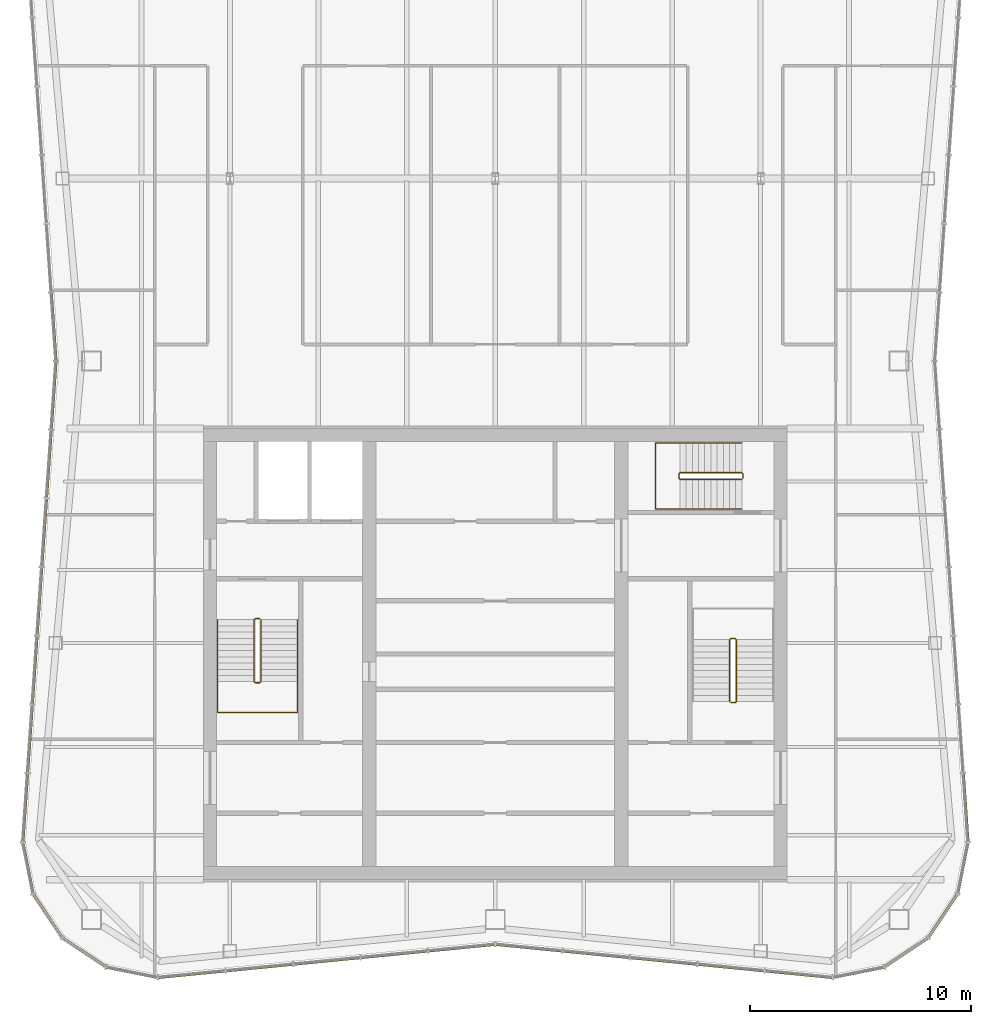
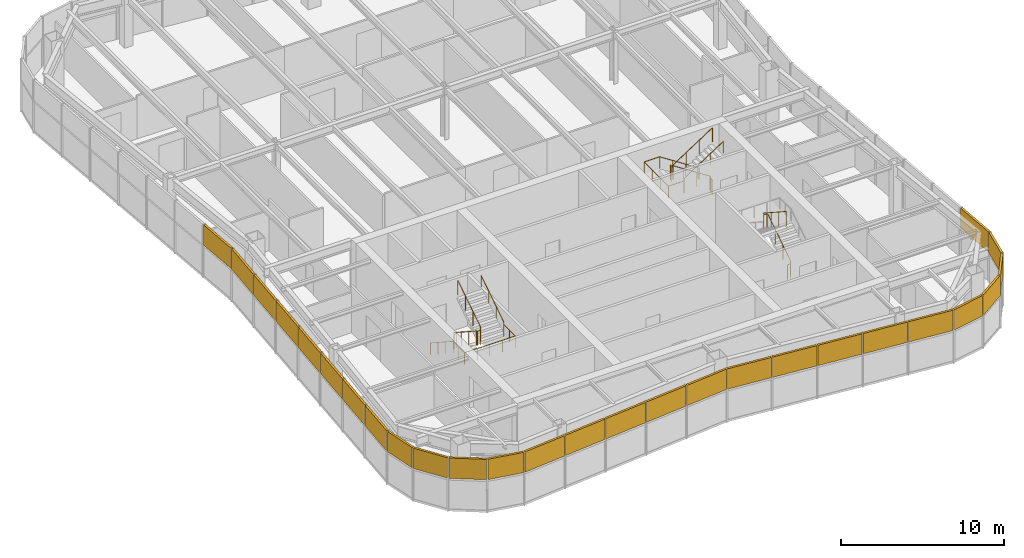
# One storey, part 12 of 13: 27 shading devices, 5 railings, 5 elements without a shape of their own.
"""IFC4 building model written with IfcOpenShell, lengths in metres."""

from ifc_helpers import new_model, si_unit, direction, frame, origin, origin_2d, place, context, subcontext, project, spatial, rectangle, circle, extrude, material, layer, layer_set, type_object, element, aggregate, save


model = new_model("IFC4")

# Units and contexts
model_context = context("Model", 3, precision=1e-05, world=origin(), true_north=direction((0.0, 1.0)))
body_context = subcontext(model_context, "Body", "Model", "MODEL_VIEW")
ifc_project = project(units=[si_unit("LENGTHUNIT", "METRE"), si_unit("AREAUNIT", "SQUARE_METRE"), si_unit("VOLUMEUNIT", "CUBIC_METRE"), si_unit("PLANEANGLEUNIT", "RADIAN"), si_unit("MASSUNIT", "GRAM", prefix="KILO")], contexts=[model_context])

# Site, building, storey
site_placement = place(None, origin())
site = spatial("IfcSite", under=ifc_project, at=site_placement, CompositionType="ELEMENT")
building_placement = place(site_placement, origin())
building = spatial("IfcBuilding", under=site, at=building_placement, Name="Verdant Reach Tower", CompositionType="ELEMENT")
storey_placement = place(building_placement, frame((0.0, 0.0, 364.0)))
storey = spatial("IfcBuildingStorey", under=building, at=storey_placement, Name="L82 Plant", CompositionType="ELEMENT", Elevation=364.0)

# Railings
ifc_material_1 = material(Name="Stainless steel", Category="steel")
railing_type_1 = type_object("IfcRailingType", Name="CO-GUARD", PredefinedType="GUARDRAIL", material=ifc_material_1)
railing_1_placement = place(storey_placement, frame((-10.64990234375, 29.60009765625, 0.0)))
element("IfcRailing", 1, at=railing_1_placement, inside=storey, type_object=railing_type_1, Name="L82 Plant ST-1 stair guard 1", PredefinedType="GUARDRAIL", context=body_context, shape_type="SweptSolid", body=[
    extrude(circle(Radius=0.02392578125, at=origin_2d()), frame((0.0, 0.0, 1.076171875), z_axis=(-1.0, 0.0, 0.0), x_axis=(0.0, -1.0, 0.0)), (0.0, 0.0, 1.0), 0.2001953125),
    extrude(circle(Radius=0.02392578125, at=origin_2d()), frame((-0.2001953125, 0.0, 1.076171875), z_axis=(-0.25526617399, -0.256517478764, 0.932222056972), x_axis=(0.708833529934, -0.705375805398, 0.0)), (0.0, 0.0, 1.0), 0.195068359375),
    extrude(circle(Radius=0.02392578125, at=origin_2d()), frame((-0.25, -0.050048828125, 1.2578125), z_axis=(0.0, -0.838705829183, 0.544584733623), x_axis=(1.0, 0.0, 0.0)), (0.0, 0.0, 1.0), 3.338623046875),
    extrude(circle(Radius=0.02392578125, at=origin_2d()), frame((-0.25, -2.85009765625, 3.076171875), z_axis=(0.705375805398, -0.708833529934, 0.0), x_axis=(0.708833529934, 0.705375805398, 0.0)), (0.0, 0.0, 1.0), 0.070556640625),
    extrude(circle(Radius=0.02392578125, at=origin_2d()), frame((-0.2001953125, -2.900146484375, 3.076171875), z_axis=(1.0, 0.0, 0.0), x_axis=(0.0, 1.0, 0.0)), (0.0, 0.0, 1.0), 0.2001953125),
    extrude(circle(Radius=0.02392578125, at=origin_2d()), frame((0.0, -2.900146484375, 3.076171875), z_axis=(0.25526617399, 0.256517478764, 0.932222056972), x_axis=(-0.708833529934, 0.705375805398, 0.0)), (0.0, 0.0, 1.0), 0.195068359375),
    extrude(circle(Radius=0.02392578125, at=origin_2d()), frame((0.0498046875, -2.85009765625, 3.2578125), z_axis=(0.0, 0.838705829183, 0.544584733623), x_axis=(-1.0, 0.0, 0.0)), (0.0, 0.0, 1.0), 3.338623046875),
    extrude(circle(Radius=0.02099609375, at=origin_2d()), origin(), (0.0, 0.0, 1.0), 1.052001953125),
    extrude(circle(Radius=0.02099609375, at=origin_2d()), frame((-0.2001953125, 0.0, 0.0)), (0.0, 0.0, 1.0), 1.052001953125),
    extrude(circle(Radius=0.02099609375, at=origin_2d()), frame((-0.25, -0.050048828125, 0.181884765625)), (0.0, 0.0, 1.0), 1.052001953125),
    extrude(circle(Radius=0.02099609375, at=origin_2d()), frame((-0.25, -0.9833984375, 0.787841796875)), (0.0, 0.0, 1.0), 1.052001953125),
    extrude(circle(Radius=0.02099609375, at=origin_2d()), frame((-0.25, -1.916748046875, 1.39404296875)), (0.0, 0.0, 1.0), 1.052001953125),
    extrude(circle(Radius=0.02099609375, at=origin_2d()), frame((-0.25, -2.85009765625, 2.0)), (0.0, 0.0, 1.0), 1.052001953125),
    extrude(circle(Radius=0.02099609375, at=origin_2d()), frame((-0.2001953125, -2.900146484375, 2.0)), (0.0, 0.0, 1.0), 1.052001953125),
    extrude(circle(Radius=0.02099609375, at=origin_2d()), frame((0.0, -2.900146484375, 2.0)), (0.0, 0.0, 1.0), 1.052001953125),
    extrude(circle(Radius=0.02099609375, at=origin_2d()), frame((0.0498046875, -2.85009765625, 2.181884765625)), (0.0, 0.0, 1.0), 1.052001953125),
    extrude(circle(Radius=0.02099609375, at=origin_2d()), frame((0.0498046875, -1.916748046875, 2.787841796875)), (0.0, 0.0, 1.0), 1.052001953125),
    extrude(circle(Radius=0.02099609375, at=origin_2d()), frame((0.0498046875, -0.9833984375, 3.39404296875)), (0.0, 0.0, 1.0), 1.052001953125),
    extrude(circle(Radius=0.02099609375, at=origin_2d()), frame((0.0498046875, -0.050048828125, 4.0)), (0.0, 0.0, 1.0), 1.052001953125),
])
railing_2_placement = place(storey_placement, frame((10.64990234375, 25.800048828125, 0.0)))
element("IfcRailing", 2, at=railing_2_placement, inside=storey, type_object=railing_type_1, Name="L82 Plant ST-2 stair guard 1", PredefinedType="GUARDRAIL", context=body_context, shape_type="SweptSolid", body=[
    extrude(circle(Radius=0.02392578125, at=origin_2d()), frame((0.0, 0.0, 1.076171875), z_axis=(1.0, 0.0, 0.0), x_axis=(0.0, 1.0, 0.0)), (0.0, 0.0, 1.0), 0.2001953125),
    extrude(circle(Radius=0.02392578125, at=origin_2d()), frame((0.2001953125, 0.0, 1.076171875), z_axis=(0.25526617399, 0.256517478764, 0.932222056972), x_axis=(-0.708833529934, 0.705375805398, 0.0)), (0.0, 0.0, 1.0), 0.195068359375),
    extrude(circle(Radius=0.02392578125, at=origin_2d()), frame((0.25, 0.050048828125, 1.2578125), z_axis=(0.0, 0.83868413941, 0.544618136222), x_axis=(-1.0, 0.0, 0.0)), (0.0, 0.0, 1.0), 3.33837890625),
    extrude(circle(Radius=0.02392578125, at=origin_2d()), frame((0.25, 2.849853515625, 3.076171875), z_axis=(-0.705375805398, 0.708833529934, 0.0), x_axis=(-0.708833529934, -0.705375805398, 0.0)), (0.0, 0.0, 1.0), 0.070556640625),
    extrude(circle(Radius=0.02392578125, at=origin_2d()), frame((0.2001953125, 2.89990234375, 3.076171875), z_axis=(-1.0, 0.0, 0.0), x_axis=(0.0, -1.0, 0.0)), (0.0, 0.0, 1.0), 0.2001953125),
    extrude(circle(Radius=0.02392578125, at=origin_2d()), frame((0.0, 2.89990234375, 3.076171875), z_axis=(-0.25526617399, -0.256517478764, 0.932222056972), x_axis=(0.708833529934, -0.705375805398, 0.0)), (0.0, 0.0, 1.0), 0.195068359375),
    extrude(circle(Radius=0.02392578125, at=origin_2d()), frame((-0.0498046875, 2.849853515625, 3.2578125), z_axis=(0.0, -0.83868413941, 0.544618136222), x_axis=(1.0, 0.0, 0.0)), (0.0, 0.0, 1.0), 3.33837890625),
    extrude(circle(Radius=0.02099609375, at=origin_2d()), origin(), (0.0, 0.0, 1.0), 1.052001953125),
    extrude(circle(Radius=0.02099609375, at=origin_2d()), frame((0.2001953125, 0.0, 0.0)), (0.0, 0.0, 1.0), 1.052001953125),
    extrude(circle(Radius=0.02099609375, at=origin_2d()), frame((0.25, 0.050048828125, 0.181884765625)), (0.0, 0.0, 1.0), 1.052001953125),
    extrude(circle(Radius=0.02099609375, at=origin_2d()), frame((0.25, 0.9833984375, 0.787841796875)), (0.0, 0.0, 1.0), 1.052001953125),
    extrude(circle(Radius=0.02099609375, at=origin_2d()), frame((0.25, 1.91650390625, 1.39404296875)), (0.0, 0.0, 1.0), 1.052001953125),
    extrude(circle(Radius=0.02099609375, at=origin_2d()), frame((0.25, 2.849853515625, 2.0)), (0.0, 0.0, 1.0), 1.052001953125),
    extrude(circle(Radius=0.02099609375, at=origin_2d()), frame((0.2001953125, 2.89990234375, 2.0)), (0.0, 0.0, 1.0), 1.052001953125),
    extrude(circle(Radius=0.02099609375, at=origin_2d()), frame((0.0, 2.89990234375, 2.0)), (0.0, 0.0, 1.0), 1.052001953125),
    extrude(circle(Radius=0.02099609375, at=origin_2d()), frame((-0.0498046875, 2.849853515625, 2.181884765625)), (0.0, 0.0, 1.0), 1.052001953125),
    extrude(circle(Radius=0.02099609375, at=origin_2d()), frame((-0.0498046875, 1.91650390625, 2.787841796875)), (0.0, 0.0, 1.0), 1.052001953125),
    extrude(circle(Radius=0.02099609375, at=origin_2d()), frame((-0.0498046875, 0.9833984375, 3.39404296875)), (0.0, 0.0, 1.0), 1.052001953125),
    extrude(circle(Radius=0.02099609375, at=origin_2d()), frame((-0.0498046875, 0.050048828125, 4.0)), (0.0, 0.0, 1.0), 1.052001953125),
])
railing_3_placement = place(storey_placement, frame((11.199951171875, 35.949951171875, 0.0)))
element("IfcRailing", 3, at=railing_3_placement, inside=storey, type_object=railing_type_1, Name="L82 Plant ST-3 stair guard 1", PredefinedType="GUARDRAIL", context=body_context, shape_type="SweptSolid", body=[
    extrude(circle(Radius=0.02392578125, at=origin_2d()), frame((0.0, 0.0, 1.076171875), z_axis=(0.0, 1.0, 0.0), x_axis=(-1.0, 0.0, 0.0)), (0.0, 0.0, 1.0), 0.199951171875),
    extrude(circle(Radius=0.02392578125, at=origin_2d()), frame((0.0, 0.199951171875, 1.076171875), z_axis=(-0.256435381639, 0.256435381639, 0.931923704005), x_axis=(-0.707106781187, -0.707106781187, 0.0)), (0.0, 0.0, 1.0), 0.195068359375),
    extrude(circle(Radius=0.02392578125, at=origin_2d()), frame((-0.050048828125, 0.25, 1.2578125), z_axis=(-0.83868413941, 0.0, 0.544618136222), x_axis=(0.0, -1.0, 0.0)), (0.0, 0.0, 1.0), 3.33837890625),
    extrude(circle(Radius=0.02392578125, at=origin_2d()), frame((-2.849853515625, 0.25, 3.076171875), z_axis=(-0.707106781187, -0.707106781187, 0.0), x_axis=(0.707106781187, -0.707106781187, 0.0)), (0.0, 0.0, 1.0), 0.07080078125),
    extrude(circle(Radius=0.02392578125, at=origin_2d()), frame((-2.89990234375, 0.199951171875, 3.076171875), z_axis=(0.0, -1.0, 0.0), x_axis=(1.0, 0.0, 0.0)), (0.0, 0.0, 1.0), 0.199951171875),
    extrude(circle(Radius=0.02392578125, at=origin_2d()), frame((-2.89990234375, 0.0, 3.076171875), z_axis=(0.256435381639, -0.256435381639, 0.931923704005), x_axis=(0.707106781187, 0.707106781187, 0.0)), (0.0, 0.0, 1.0), 0.195068359375),
    extrude(circle(Radius=0.02392578125, at=origin_2d()), frame((-2.849853515625, -0.050048828125, 3.2578125), z_axis=(0.83868413941, 0.0, 0.544618136222), x_axis=(0.0, 1.0, 0.0)), (0.0, 0.0, 1.0), 3.33837890625),
    extrude(circle(Radius=0.02099609375, at=origin_2d()), origin(), (0.0, 0.0, 1.0), 1.052001953125),
    extrude(circle(Radius=0.02099609375, at=origin_2d()), frame((0.0, 0.199951171875, 0.0)), (0.0, 0.0, 1.0), 1.052001953125),
    extrude(circle(Radius=0.02099609375, at=origin_2d()), frame((-0.050048828125, 0.25, 0.181884765625)), (0.0, 0.0, 1.0), 1.052001953125),
    extrude(circle(Radius=0.02099609375, at=origin_2d()), frame((-0.9833984375, 0.25, 0.787841796875)), (0.0, 0.0, 1.0), 1.052001953125),
    extrude(circle(Radius=0.02099609375, at=origin_2d()), frame((-1.91650390625, 0.25, 1.39404296875)), (0.0, 0.0, 1.0), 1.052001953125),
    extrude(circle(Radius=0.02099609375, at=origin_2d()), frame((-2.849853515625, 0.25, 2.0)), (0.0, 0.0, 1.0), 1.052001953125),
    extrude(circle(Radius=0.02099609375, at=origin_2d()), frame((-2.89990234375, 0.199951171875, 2.0)), (0.0, 0.0, 1.0), 1.052001953125),
    extrude(circle(Radius=0.02099609375, at=origin_2d()), frame((-2.89990234375, 0.0, 2.0)), (0.0, 0.0, 1.0), 1.052001953125),
    extrude(circle(Radius=0.02099609375, at=origin_2d()), frame((-2.849853515625, -0.050048828125, 2.181884765625)), (0.0, 0.0, 1.0), 1.052001953125),
    extrude(circle(Radius=0.02099609375, at=origin_2d()), frame((-1.91650390625, -0.050048828125, 2.787841796875)), (0.0, 0.0, 1.0), 1.052001953125),
    extrude(circle(Radius=0.02099609375, at=origin_2d()), frame((-0.9833984375, -0.050048828125, 3.39404296875)), (0.0, 0.0, 1.0), 1.052001953125),
    extrude(circle(Radius=0.02099609375, at=origin_2d()), frame((-0.050048828125, -0.050048828125, 4.0)), (0.0, 0.0, 1.0), 1.052001953125),
])
railing_type_2 = type_object("IfcRailingType", Name="CO-HANDRAIL", PredefinedType="HANDRAIL", material=ifc_material_1)
railing_4_placement = place(storey_placement, frame((-12.550048828125, 29.550048828125, 0.181884765625)))
element("IfcRailing", 4, at=railing_4_placement, inside=storey, type_object=railing_type_2, Name="L82 Plant ST-1 stair handrail 1", PredefinedType="HANDRAIL", context=body_context, shape_type="SweptSolid", body=[
    extrude(circle(Radius=0.02392578125, at=origin_2d()), frame((0.0, 0.0, 0.8759765625), z_axis=(0.0, -0.838705829183, 0.544584733623), x_axis=(1.0, 0.0, 0.0)), (0.0, 0.0, 1.0), 3.338623046875),
    extrude(circle(Radius=0.02392578125, at=origin_2d()), frame((0.0, -2.800048828125, 2.69384765625), z_axis=(0.0, -1.0, 0.0), x_axis=(1.0, 0.0, 0.0)), (0.0, 0.0, 1.0), 1.39990234375),
    extrude(circle(Radius=0.02392578125, at=origin_2d()), frame((0.0, -4.199951171875, 2.69384765625), z_axis=(1.0, 0.0, 0.0), x_axis=(0.0, 1.0, 0.0)), (0.0, 0.0, 1.0), 3.60009765625),
    extrude(circle(Radius=0.02392578125, at=origin_2d()), frame((3.60009765625, -4.199951171875, 2.69384765625), z_axis=(0.0, 1.0, 0.0), x_axis=(-1.0, 0.0, 0.0)), (0.0, 0.0, 1.0), 1.39990234375),
    extrude(circle(Radius=0.02392578125, at=origin_2d()), frame((3.60009765625, -2.800048828125, 2.69384765625), z_axis=(0.0, 0.0, 1.0), x_axis=(1.0, 0.0, 0.0)), (0.0, 0.0, 1.0), 0.181884765625),
    extrude(circle(Radius=0.02392578125, at=origin_2d()), frame((3.60009765625, -2.800048828125, 2.8759765625), z_axis=(0.0, 0.838705829183, 0.544584733623), x_axis=(-1.0, 0.0, 0.0)), (0.0, 0.0, 1.0), 3.338623046875),
    extrude(circle(Radius=0.02099609375, at=origin_2d()), origin(), (0.0, 0.0, 1.0), 0.851806640625),
    extrude(circle(Radius=0.02099609375, at=origin_2d()), frame((0.0, -0.933349609375, 0.60595703125)), (0.0, 0.0, 1.0), 0.851806640625),
    extrude(circle(Radius=0.02099609375, at=origin_2d()), frame((0.0, -1.86669921875, 1.212158203125)), (0.0, 0.0, 1.0), 0.851806640625),
    extrude(circle(Radius=0.02099609375, at=origin_2d()), frame((0.0, -2.800048828125, 1.818115234375)), (0.0, 0.0, 1.0), 0.851806640625),
    extrude(circle(Radius=0.02099609375, at=origin_2d()), frame((0.0, -3.5, 1.818115234375)), (0.0, 0.0, 1.0), 0.851806640625),
    extrude(circle(Radius=0.02099609375, at=origin_2d()), frame((0.0, -4.199951171875, 1.818115234375)), (0.0, 0.0, 1.0), 0.851806640625),
    extrude(circle(Radius=0.02099609375, at=origin_2d()), frame((0.89990234375, -4.199951171875, 1.818115234375)), (0.0, 0.0, 1.0), 0.851806640625),
    extrude(circle(Radius=0.02099609375, at=origin_2d()), frame((1.800048828125, -4.199951171875, 1.818115234375)), (0.0, 0.0, 1.0), 0.851806640625),
    extrude(circle(Radius=0.02099609375, at=origin_2d()), frame((2.7001953125, -4.199951171875, 1.818115234375)), (0.0, 0.0, 1.0), 0.851806640625),
    extrude(circle(Radius=0.02099609375, at=origin_2d()), frame((3.60009765625, -4.199951171875, 1.818115234375)), (0.0, 0.0, 1.0), 0.851806640625),
    extrude(circle(Radius=0.02099609375, at=origin_2d()), frame((3.60009765625, -3.5, 1.818115234375)), (0.0, 0.0, 1.0), 0.851806640625),
    extrude(circle(Radius=0.02099609375, at=origin_2d()), frame((3.60009765625, -2.800048828125, 1.818115234375)), (0.0, 0.0, 1.0), 0.851806640625),
    extrude(circle(Radius=0.02099609375, at=origin_2d()), frame((3.60009765625, -2.800048828125, 2.0)), (0.0, 0.0, 1.0), 0.851806640625),
    extrude(circle(Radius=0.02099609375, at=origin_2d()), frame((3.60009765625, -1.86669921875, 2.60595703125)), (0.0, 0.0, 1.0), 0.851806640625),
    extrude(circle(Radius=0.02099609375, at=origin_2d()), frame((3.60009765625, -0.933349609375, 3.212158203125)), (0.0, 0.0, 1.0), 0.851806640625),
    extrude(circle(Radius=0.02099609375, at=origin_2d()), frame((3.60009765625, 0.0, 3.818115234375)), (0.0, 0.0, 1.0), 0.851806640625),
])
railing_5_placement = place(storey_placement, frame((11.14990234375, 37.550048828125, 0.181884765625)))
element("IfcRailing", 5, at=railing_5_placement, inside=storey, type_object=railing_type_2, Name="L82 Plant ST-3 stair handrail 1", PredefinedType="HANDRAIL", context=body_context, shape_type="SweptSolid", body=[
    extrude(circle(Radius=0.02392578125, at=origin_2d()), frame((0.0, 0.0, 0.8759765625), z_axis=(-0.83868413941, 0.0, 0.544618136222), x_axis=(0.0, -1.0, 0.0)), (0.0, 0.0, 1.0), 3.33837890625),
    extrude(circle(Radius=0.02392578125, at=origin_2d()), frame((-2.7998046875, 0.0, 2.69384765625), z_axis=(-1.0, 0.0, 0.0), x_axis=(0.0, -1.0, 0.0)), (0.0, 0.0, 1.0), 1.10009765625),
    extrude(circle(Radius=0.02392578125, at=origin_2d()), frame((-3.89990234375, 0.0, 2.69384765625), z_axis=(0.0, -1.0, 0.0), x_axis=(1.0, 0.0, 0.0)), (0.0, 0.0, 1.0), 3.0),
    extrude(circle(Radius=0.02392578125, at=origin_2d()), frame((-3.89990234375, -3.0, 2.69384765625), z_axis=(1.0, 0.0, 0.0), x_axis=(0.0, 1.0, 0.0)), (0.0, 0.0, 1.0), 1.10009765625),
    extrude(circle(Radius=0.02392578125, at=origin_2d()), frame((-2.7998046875, -3.0, 2.69384765625), z_axis=(0.0, 0.0, 1.0), x_axis=(1.0, 0.0, 0.0)), (0.0, 0.0, 1.0), 0.181884765625),
    extrude(circle(Radius=0.02392578125, at=origin_2d()), frame((-2.7998046875, -3.0, 2.8759765625), z_axis=(0.83868413941, 0.0, 0.544618136222), x_axis=(0.0, 1.0, 0.0)), (0.0, 0.0, 1.0), 3.33837890625),
    extrude(circle(Radius=0.02099609375, at=origin_2d()), origin(), (0.0, 0.0, 1.0), 0.851806640625),
    extrude(circle(Radius=0.02099609375, at=origin_2d()), frame((-0.933349609375, 0.0, 0.60595703125)), (0.0, 0.0, 1.0), 0.851806640625),
    extrude(circle(Radius=0.02099609375, at=origin_2d()), frame((-1.866455078125, 0.0, 1.212158203125)), (0.0, 0.0, 1.0), 0.851806640625),
    extrude(circle(Radius=0.02099609375, at=origin_2d()), frame((-2.7998046875, 0.0, 1.818115234375)), (0.0, 0.0, 1.0), 0.851806640625),
    extrude(circle(Radius=0.02099609375, at=origin_2d()), frame((-3.89990234375, 0.0, 1.818115234375)), (0.0, 0.0, 1.0), 0.851806640625),
    extrude(circle(Radius=0.02099609375, at=origin_2d()), frame((-3.89990234375, -1.0, 1.818115234375)), (0.0, 0.0, 1.0), 0.851806640625),
    extrude(circle(Radius=0.02099609375, at=origin_2d()), frame((-3.89990234375, -2.0, 1.818115234375)), (0.0, 0.0, 1.0), 0.851806640625),
    extrude(circle(Radius=0.02099609375, at=origin_2d()), frame((-3.89990234375, -3.0, 1.818115234375)), (0.0, 0.0, 1.0), 0.851806640625),
    extrude(circle(Radius=0.02099609375, at=origin_2d()), frame((-2.7998046875, -3.0, 1.818115234375)), (0.0, 0.0, 1.0), 0.851806640625),
    extrude(circle(Radius=0.02099609375, at=origin_2d()), frame((-2.7998046875, -3.0, 2.0)), (0.0, 0.0, 1.0), 0.851806640625),
    extrude(circle(Radius=0.02099609375, at=origin_2d()), frame((-1.866455078125, -3.0, 2.60595703125)), (0.0, 0.0, 1.0), 0.851806640625),
    extrude(circle(Radius=0.02099609375, at=origin_2d()), frame((-0.933349609375, -3.0, 3.212158203125)), (0.0, 0.0, 1.0), 0.851806640625),
    extrude(circle(Radius=0.02099609375, at=origin_2d()), frame((0.0, -3.0, 3.818115234375)), (0.0, 0.0, 1.0), 0.851806640625),
])

# Curtain wall, shading devices
ifc_material_2 = material(Name="Anodised aluminium", Category="aluminium")
curtain_wall_type = type_object("IfcCurtainWallType", Name="EN-CW SYSTEM PLANT", PredefinedType="NOTDEFINED", material=ifc_material_2)
curtain_wall_1_placement = place(storey_placement, origin())
curtain_wall_1 = element("IfcCurtainWall", 6, at=curtain_wall_1_placement, inside=storey, type_object=curtain_wall_type, Name="Curtain wall south-east corner, L82", PredefinedType="NOTDEFINED")
ifc_material_3 = material(Name="Bronze anodised aluminium louvre", Category="aluminium")
ifc_layer = layer(ifc_material_3, 0.14990234375)
ifc_layer_set = layer_set([ifc_layer], Name="EN-LOUVRE")
shading_device_type = type_object("IfcShadingDeviceType", Name="EN-LOUVRE", PredefinedType="USERDEFINED", material=ifc_layer_set)
shading_device_1_placement = place(storey_placement, frame((16.423828125, 13.614013671875, 2.125), z_axis=(0.0, 0.0, 1.0), x_axis=(0.980705120874, 0.195492879387, 0.0)))
shading_device_1 = element("IfcShadingDevice", 7, at=shading_device_1_placement, type_object=shading_device_type, Name="Louvre bank south-east corner 1, L82", ObjectType="LOUVRE", PredefinedType="USERDEFINED", context=body_context, shape_type="SweptSolid", body=[
    extrude(rectangle(XDim=2.3056640625, YDim=0.14990234375, at=origin_2d()), origin(), (0.0, 0.0, 1.0), 1.52490234375),
])
shading_device_2_placement = place(storey_placement, frame((18.584228515625, 14.510009765625, 2.125), z_axis=(0.0, 0.0, 1.0), x_axis=(0.83145208321, 0.555596466265, 0.0)))
shading_device_2 = element("IfcShadingDevice", 8, at=shading_device_2_placement, type_object=shading_device_type, Name="Louvre bank south-east corner 2, L82", ObjectType="LOUVRE", PredefinedType="USERDEFINED", context=body_context, shape_type="SweptSolid", body=[
    extrude(rectangle(XDim=2.3115234375, YDim=0.14990234375, at=origin_2d()), origin(), (0.0, 0.0, 1.0), 1.52490234375),
])
shading_device_3_placement = place(storey_placement, frame((20.239990234375, 16.165771484375, 2.125), z_axis=(0.0, 0.0, 1.0), x_axis=(0.555596466265, 0.83145208321, 0.0)))
shading_device_3 = element("IfcShadingDevice", 9, at=shading_device_3_placement, type_object=shading_device_type, Name="Louvre bank south-east corner 3, L82", ObjectType="LOUVRE", PredefinedType="USERDEFINED", context=body_context, shape_type="SweptSolid", body=[
    extrude(rectangle(XDim=2.3115234375, YDim=0.14990234375, at=origin_2d()), origin(), (0.0, 0.0, 1.0), 1.52490234375),
])
shading_device_4_placement = place(storey_placement, frame((21.135986328125, 18.325439453125, 2.125), z_axis=(0.0, 0.0, 1.0), x_axis=(0.195592962334, 0.980685165119, 0.0)))
shading_device_4 = element("IfcShadingDevice", 10, at=shading_device_4_placement, type_object=shading_device_type, Name="Louvre bank south-east corner 4, L82", ObjectType="LOUVRE", PredefinedType="USERDEFINED", context=body_context, shape_type="SweptSolid", body=[
    extrude(rectangle(XDim=2.303955078125, YDim=0.14990234375, at=origin_2d()), origin(), (0.0, 0.0, 1.0), 1.52490234375),
])
aggregate(curtain_wall_1, [shading_device_1, shading_device_2, shading_device_3, shading_device_4])

# Curtain wall, shading device
curtain_wall_2_placement = place(storey_placement, origin())
curtain_wall_2 = element("IfcCurtainWall", 11, at=curtain_wall_2_placement, inside=storey, type_object=curtain_wall_type, Name="Curtain wall east, L82", PredefinedType="NOTDEFINED")
shading_device_5_placement = place(storey_placement, frame((21.261474609375, 21.053955078125, 2.125), z_axis=(0.0, 0.0, 1.0), x_axis=(-0.068469163133, 0.997653233193, 0.0)))
shading_device_5 = element("IfcShadingDevice", 12, at=shading_device_5_placement, type_object=shading_device_type, Name="Louvre bank east face part 1 1, L82", ObjectType="LOUVRE", PredefinedType="USERDEFINED", context=body_context, shape_type="SweptSolid", body=[
    extrude(rectangle(XDim=3.05419921875, YDim=0.14990234375, at=origin_2d()), origin(), (0.0, 0.0, 1.0), 1.52490234375),
])
aggregate(curtain_wall_2, [shading_device_5])

# Curtain wall, shading devices
curtain_wall_3_placement = place(storey_placement, origin())
curtain_wall_3 = element("IfcCurtainWall", 13, at=curtain_wall_3_placement, inside=storey, type_object=curtain_wall_type, Name="Curtain wall west, L82", PredefinedType="NOTDEFINED")
shading_device_6_placement = place(storey_placement, frame((-19.97607421875, 42.799560546875, 2.125), z_axis=(0.0, 0.0, 1.0), x_axis=(0.068892655483, -0.997624078509, 0.0)))
shading_device_6 = element("IfcShadingDevice", 14, at=shading_device_6_placement, type_object=shading_device_type, Name="Louvre bank west face part 1 7, L82", ObjectType="LOUVRE", PredefinedType="USERDEFINED", context=body_context, shape_type="SweptSolid", body=[
    extrude(rectangle(XDim=3.0302734375, YDim=0.14990234375, at=origin_2d()), origin(), (0.0, 0.0, 1.0), 1.52490234375),
])
shading_device_7_placement = place(storey_placement, frame((-19.97607421875, 39.700439453125, 2.125), z_axis=(0.0, 0.0, 1.0), x_axis=(-0.068892655483, -0.997624078509, 0.0)))
shading_device_7 = element("IfcShadingDevice", 15, at=shading_device_7_placement, type_object=shading_device_type, Name="Louvre bank west face part 2 1, L82", ObjectType="LOUVRE", PredefinedType="USERDEFINED", context=body_context, shape_type="SweptSolid", body=[
    extrude(rectangle(XDim=3.0302734375, YDim=0.14990234375, at=origin_2d()), origin(), (0.0, 0.0, 1.0), 1.52490234375),
])
shading_device_8_placement = place(storey_placement, frame((-20.190185546875, 36.597412109375, 2.125), z_axis=(0.0, 0.0, 1.0), x_axis=(-0.068802091615, -0.997630328423, 0.0)))
shading_device_8 = element("IfcShadingDevice", 16, at=shading_device_8_placement, type_object=shading_device_type, Name="Louvre bank west face part 2 2, L82", ObjectType="LOUVRE", PredefinedType="USERDEFINED", context=body_context, shape_type="SweptSolid", body=[
    extrude(rectangle(XDim=3.03857421875, YDim=0.14990234375, at=origin_2d()), origin(), (0.0, 0.0, 1.0), 1.52490234375),
])
shading_device_9_placement = place(storey_placement, frame((-20.404541015625, 33.490234375, 2.125), z_axis=(0.0, 0.0, 1.0), x_axis=(-0.068802091615, -0.997630328423, 0.0)))
shading_device_9 = element("IfcShadingDevice", 17, at=shading_device_9_placement, type_object=shading_device_type, Name="Louvre bank west face part 2 3, L82", ObjectType="LOUVRE", PredefinedType="USERDEFINED", context=body_context, shape_type="SweptSolid", body=[
    extrude(rectangle(XDim=3.03857421875, YDim=0.14990234375, at=origin_2d()), origin(), (0.0, 0.0, 1.0), 1.52490234375),
])
shading_device_10_placement = place(storey_placement, frame((-20.61865234375, 30.38330078125, 2.125), z_axis=(0.0, 0.0, 1.0), x_axis=(-0.068802091615, -0.997630328423, 0.0)))
shading_device_10 = element("IfcShadingDevice", 18, at=shading_device_10_placement, type_object=shading_device_type, Name="Louvre bank west face part 2 4, L82", ObjectType="LOUVRE", PredefinedType="USERDEFINED", context=body_context, shape_type="SweptSolid", body=[
    extrude(rectangle(XDim=3.03857421875, YDim=0.14990234375, at=origin_2d()), origin(), (0.0, 0.0, 1.0), 1.52490234375),
])
shading_device_11_placement = place(storey_placement, frame((-20.8330078125, 27.276123046875, 2.125), z_axis=(0.0, 0.0, 1.0), x_axis=(-0.068802091615, -0.997630328423, 0.0)))
shading_device_11 = element("IfcShadingDevice", 19, at=shading_device_11_placement, type_object=shading_device_type, Name="Louvre bank west face part 2 5, L82", ObjectType="LOUVRE", PredefinedType="USERDEFINED", context=body_context, shape_type="SweptSolid", body=[
    extrude(rectangle(XDim=3.03857421875, YDim=0.14990234375, at=origin_2d()), origin(), (0.0, 0.0, 1.0), 1.52490234375),
])
shading_device_12_placement = place(storey_placement, frame((-21.04736328125, 24.1689453125, 2.125), z_axis=(0.0, 0.0, 1.0), x_axis=(-0.068802091615, -0.997630328423, 0.0)))
shading_device_12 = element("IfcShadingDevice", 20, at=shading_device_12_placement, type_object=shading_device_type, Name="Louvre bank west face part 2 6, L82", ObjectType="LOUVRE", PredefinedType="USERDEFINED", context=body_context, shape_type="SweptSolid", body=[
    extrude(rectangle(XDim=3.03857421875, YDim=0.14990234375, at=origin_2d()), origin(), (0.0, 0.0, 1.0), 1.52490234375),
])
shading_device_13_placement = place(storey_placement, frame((-21.261474609375, 21.053955078125, 2.125), z_axis=(0.0, 0.0, 1.0), x_axis=(-0.068469163133, -0.997653233193, 0.0)))
shading_device_13 = element("IfcShadingDevice", 21, at=shading_device_13_placement, type_object=shading_device_type, Name="Louvre bank west face part 2 7, L82", ObjectType="LOUVRE", PredefinedType="USERDEFINED", context=body_context, shape_type="SweptSolid", body=[
    extrude(rectangle(XDim=3.05419921875, YDim=0.14990234375, at=origin_2d()), origin(), (0.0, 0.0, 1.0), 1.52490234375),
])
aggregate(curtain_wall_3, [shading_device_6, shading_device_7, shading_device_8, shading_device_9, shading_device_10, shading_device_11, shading_device_12, shading_device_13])

curtain_wall_4_placement = place(storey_placement, origin())
curtain_wall_4 = element("IfcCurtainWall", 22, at=curtain_wall_4_placement, inside=storey, type_object=curtain_wall_type, Name="Curtain wall south-west corner, L82", PredefinedType="NOTDEFINED")
shading_device_14_placement = place(storey_placement, frame((-21.135986328125, 18.325439453125, 2.125), z_axis=(0.0, 0.0, 1.0), x_axis=(0.195592962334, -0.980685165119, 0.0)))
shading_device_14 = element("IfcShadingDevice", 23, at=shading_device_14_placement, type_object=shading_device_type, Name="Louvre bank south-west corner 1, L82", ObjectType="LOUVRE", PredefinedType="USERDEFINED", context=body_context, shape_type="SweptSolid", body=[
    extrude(rectangle(XDim=2.303955078125, YDim=0.14990234375, at=origin_2d()), origin(), (0.0, 0.0, 1.0), 1.52490234375),
])
shading_device_15_placement = place(storey_placement, frame((-20.239990234375, 16.165771484375, 2.125), z_axis=(0.0, 0.0, 1.0), x_axis=(0.555596466265, -0.83145208321, 0.0)))
shading_device_15 = element("IfcShadingDevice", 24, at=shading_device_15_placement, type_object=shading_device_type, Name="Louvre bank south-west corner 2, L82", ObjectType="LOUVRE", PredefinedType="USERDEFINED", context=body_context, shape_type="SweptSolid", body=[
    extrude(rectangle(XDim=2.3115234375, YDim=0.14990234375, at=origin_2d()), origin(), (0.0, 0.0, 1.0), 1.52490234375),
])
shading_device_16_placement = place(storey_placement, frame((-18.584228515625, 14.510009765625, 2.125), z_axis=(0.0, 0.0, 1.0), x_axis=(0.83145208321, -0.555596466265, 0.0)))
shading_device_16 = element("IfcShadingDevice", 25, at=shading_device_16_placement, type_object=shading_device_type, Name="Louvre bank south-west corner 3, L82", ObjectType="LOUVRE", PredefinedType="USERDEFINED", context=body_context, shape_type="SweptSolid", body=[
    extrude(rectangle(XDim=2.3115234375, YDim=0.14990234375, at=origin_2d()), origin(), (0.0, 0.0, 1.0), 1.52490234375),
])
shading_device_17_placement = place(storey_placement, frame((-16.423828125, 13.614013671875, 2.125), z_axis=(0.0, 0.0, 1.0), x_axis=(0.980705120874, -0.195492879387, 0.0)))
shading_device_17 = element("IfcShadingDevice", 26, at=shading_device_17_placement, type_object=shading_device_type, Name="Louvre bank south-west corner 4, L82", ObjectType="LOUVRE", PredefinedType="USERDEFINED", context=body_context, shape_type="SweptSolid", body=[
    extrude(rectangle(XDim=2.3056640625, YDim=0.14990234375, at=origin_2d()), origin(), (0.0, 0.0, 1.0), 1.52490234375),
])
aggregate(curtain_wall_4, [shading_device_14, shading_device_15, shading_device_16, shading_device_17])

curtain_wall_5_placement = place(storey_placement, origin())
curtain_wall_5 = element("IfcCurtainWall", 27, at=curtain_wall_5_placement, inside=storey, type_object=curtain_wall_type, Name="Curtain wall south, L82", PredefinedType="NOTDEFINED")
shading_device_18_placement = place(storey_placement, frame((-13.72216796875, 13.53125, 2.125), z_axis=(0.0, 0.0, 1.0), x_axis=(0.995238191716, 0.097472774402, 0.0)))
shading_device_18 = element("IfcShadingDevice", 28, at=shading_device_18_placement, type_object=shading_device_type, Name="Louvre bank south face part 1 1, L82", ObjectType="LOUVRE", PredefinedType="USERDEFINED", context=body_context, shape_type="SweptSolid", body=[
    extrude(rectangle(XDim=3.006103515625, YDim=0.14990234375, at=origin_2d()), origin(), (0.0, 0.0, 1.0), 1.52490234375),
])
shading_device_19_placement = place(storey_placement, frame((-10.663330078125, 13.83154296875, 2.125), z_axis=(0.0, 0.0, 1.0), x_axis=(0.995197410875, 0.09788826992, 0.0)))
shading_device_19 = element("IfcShadingDevice", 29, at=shading_device_19_placement, type_object=shading_device_type, Name="Louvre bank south face part 1 2, L82", ObjectType="LOUVRE", PredefinedType="USERDEFINED", context=body_context, shape_type="SweptSolid", body=[
    extrude(rectangle(XDim=2.98876953125, YDim=0.14990234375, at=origin_2d()), origin(), (0.0, 0.0, 1.0), 1.52490234375),
])
shading_device_20_placement = place(storey_placement, frame((-7.61328125, 14.131591796875, 2.125), z_axis=(0.0, 0.0, 1.0), x_axis=(0.995197410875, 0.09788826992, 0.0)))
shading_device_20 = element("IfcShadingDevice", 30, at=shading_device_20_placement, type_object=shading_device_type, Name="Louvre bank south face part 1 3, L82", ObjectType="LOUVRE", PredefinedType="USERDEFINED", context=body_context, shape_type="SweptSolid", body=[
    extrude(rectangle(XDim=2.98876953125, YDim=0.14990234375, at=origin_2d()), origin(), (0.0, 0.0, 1.0), 1.52490234375),
])
shading_device_21_placement = place(storey_placement, frame((-4.563232421875, 14.431640625, 2.125), z_axis=(0.0, 0.0, 1.0), x_axis=(0.995197410875, 0.09788826992, 0.0)))
shading_device_21 = element("IfcShadingDevice", 31, at=shading_device_21_placement, type_object=shading_device_type, Name="Louvre bank south face part 1 4, L82", ObjectType="LOUVRE", PredefinedType="USERDEFINED", context=body_context, shape_type="SweptSolid", body=[
    extrude(rectangle(XDim=2.98876953125, YDim=0.14990234375, at=origin_2d()), origin(), (0.0, 0.0, 1.0), 1.52490234375),
])
shading_device_22_placement = place(storey_placement, frame((-1.519287109375, 14.731201171875, 2.125), z_axis=(0.0, 0.0, 1.0), x_axis=(0.995179069607, 0.098074560493, 0.0)))
shading_device_22 = element("IfcShadingDevice", 32, at=shading_device_22_placement, type_object=shading_device_type, Name="Louvre bank south face part 1 5, L82", ObjectType="LOUVRE", PredefinedType="USERDEFINED", context=body_context, shape_type="SweptSolid", body=[
    extrude(rectangle(XDim=2.97705078125, YDim=0.14990234375, at=origin_2d()), origin(), (0.0, 0.0, 1.0), 1.52490234375),
])
shading_device_23_placement = place(storey_placement, frame((1.519287109375, 14.731201171875, 2.125), z_axis=(0.0, 0.0, 1.0), x_axis=(0.995179069607, -0.098074560493, 0.0)))
shading_device_23 = element("IfcShadingDevice", 33, at=shading_device_23_placement, type_object=shading_device_type, Name="Louvre bank south face part 2 1, L82", ObjectType="LOUVRE", PredefinedType="USERDEFINED", context=body_context, shape_type="SweptSolid", body=[
    extrude(rectangle(XDim=2.97705078125, YDim=0.14990234375, at=origin_2d()), origin(), (0.0, 0.0, 1.0), 1.52490234375),
])
shading_device_24_placement = place(storey_placement, frame((4.563232421875, 14.431640625, 2.125), z_axis=(0.0, 0.0, 1.0), x_axis=(0.995197410875, -0.09788826992, 0.0)))
shading_device_24 = element("IfcShadingDevice", 34, at=shading_device_24_placement, type_object=shading_device_type, Name="Louvre bank south face part 2 2, L82", ObjectType="LOUVRE", PredefinedType="USERDEFINED", context=body_context, shape_type="SweptSolid", body=[
    extrude(rectangle(XDim=2.98876953125, YDim=0.14990234375, at=origin_2d()), origin(), (0.0, 0.0, 1.0), 1.52490234375),
])
shading_device_25_placement = place(storey_placement, frame((7.61328125, 14.131591796875, 2.125), z_axis=(0.0, 0.0, 1.0), x_axis=(0.995197410875, -0.09788826992, 0.0)))
shading_device_25 = element("IfcShadingDevice", 35, at=shading_device_25_placement, type_object=shading_device_type, Name="Louvre bank south face part 2 3, L82", ObjectType="LOUVRE", PredefinedType="USERDEFINED", context=body_context, shape_type="SweptSolid", body=[
    extrude(rectangle(XDim=2.98876953125, YDim=0.14990234375, at=origin_2d()), origin(), (0.0, 0.0, 1.0), 1.52490234375),
])
shading_device_26_placement = place(storey_placement, frame((10.663330078125, 13.83154296875, 2.125), z_axis=(0.0, 0.0, 1.0), x_axis=(0.995197410875, -0.09788826992, 0.0)))
shading_device_26 = element("IfcShadingDevice", 36, at=shading_device_26_placement, type_object=shading_device_type, Name="Louvre bank south face part 2 4, L82", ObjectType="LOUVRE", PredefinedType="USERDEFINED", context=body_context, shape_type="SweptSolid", body=[
    extrude(rectangle(XDim=2.98876953125, YDim=0.14990234375, at=origin_2d()), origin(), (0.0, 0.0, 1.0), 1.52490234375),
])
shading_device_27_placement = place(storey_placement, frame((13.72216796875, 13.53125, 2.125), z_axis=(0.0, 0.0, 1.0), x_axis=(0.995238191716, -0.097472774402, 0.0)))
shading_device_27 = element("IfcShadingDevice", 37, at=shading_device_27_placement, type_object=shading_device_type, Name="Louvre bank south face part 2 5, L82", ObjectType="LOUVRE", PredefinedType="USERDEFINED", context=body_context, shape_type="SweptSolid", body=[
    extrude(rectangle(XDim=3.006103515625, YDim=0.14990234375, at=origin_2d()), origin(), (0.0, 0.0, 1.0), 1.52490234375),
])
aggregate(curtain_wall_5, [shading_device_18, shading_device_19, shading_device_20, shading_device_21, shading_device_22, shading_device_23, shading_device_24, shading_device_25, shading_device_26, shading_device_27])

save(model, "model.ifc")
